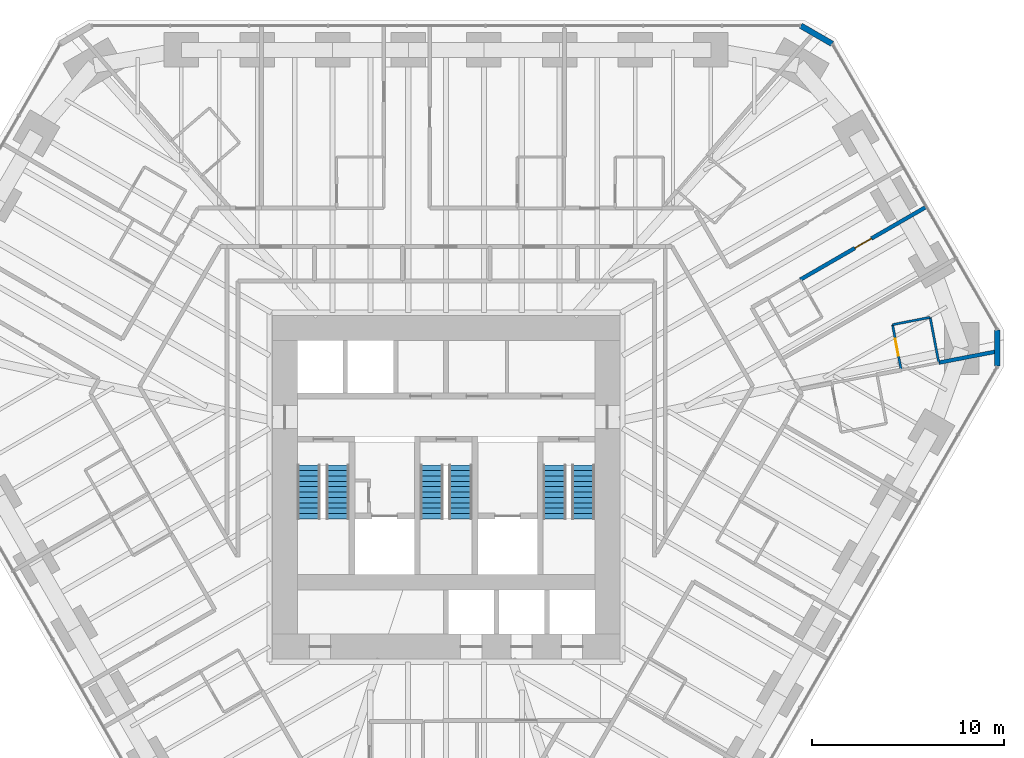
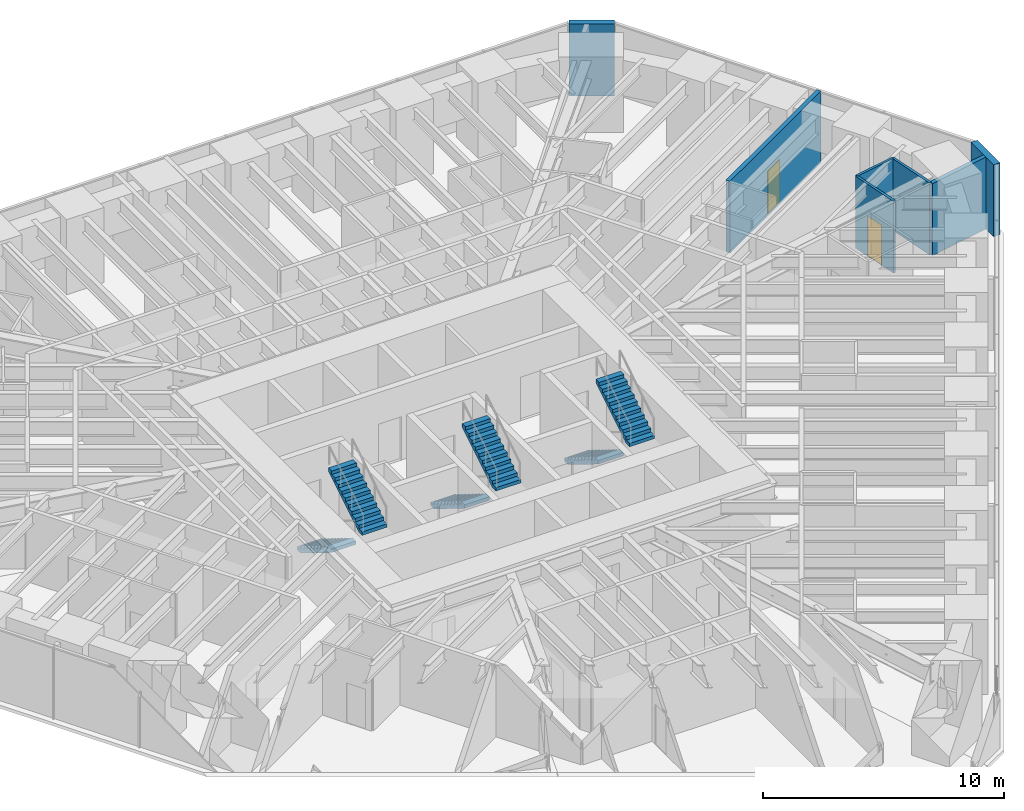
# One storey, part 16 of 17: 7 walls, 6 stair flights, 2 doors, 2 openings, 3 elements without a shape of their own.
"""IFC4 building model written with IfcOpenShell, lengths in metres."""

from ifc_helpers import new_model, si_unit, direction, frame, frame_2d, origin, place, context, subcontext, project, spatial, polyline, rectangle, outline, extrude, material, layer, layer_set, type_object, element, fill, aggregate, save


model = new_model("IFC4")

# Units and contexts
model_context = context("Model", 3, precision=1e-05, world=origin(), true_north=direction((0.0, 1.0)))
body_context = subcontext(model_context, "Body", "Model", "MODEL_VIEW")
ifc_project = project(units=[si_unit("LENGTHUNIT", "METRE"), si_unit("AREAUNIT", "SQUARE_METRE"), si_unit("VOLUMEUNIT", "CUBIC_METRE"), si_unit("PLANEANGLEUNIT", "RADIAN"), si_unit("MASSUNIT", "GRAM", prefix="KILO")], contexts=[model_context])

# Site, building, storey
site_placement = place(None, origin())
site = spatial("IfcSite", under=ifc_project, at=site_placement, CompositionType="ELEMENT")
building_placement = place(site_placement, origin())
building = spatial("IfcBuilding", under=site, at=building_placement, Name="Sandreach Pilgrim Tower", CompositionType="ELEMENT")
storey_placement = place(building_placement, frame((0.0, 0.0, 127.199951171875)))
storey = spatial("IfcBuildingStorey", under=building, at=storey_placement, Name="L31", CompositionType="ELEMENT", Elevation=127.199951171875)

# Wall, opening, door
ifc_material_1 = material(Name="Moisture-resistant gypsum board on steel studs", Category="steel")
ifc_layer_1 = layer(ifc_material_1, 0.1201171875)
ifc_layer_set_1 = layer_set([ifc_layer_1], Name="Bathroom partition 120")
wall_type_1 = type_object("IfcWallType", Name="Bathroom partition 120", PredefinedType="PARTITIONING", material=ifc_layer_set_1)
wall_1_placement = place(storey_placement, frame((23.260009765625, 6.919921875, 0.0), z_axis=(0.0, 0.0, 1.0), x_axis=(0.187294228499, -0.982303859288, 0.0)))
wall_1 = element("IfcWall", 1, at=wall_1_placement, inside=storey, type_object=wall_type_1, Name="Bathroom partition L31-169", PredefinedType="PARTITIONING", context=body_context, shape_type="SweptSolid", body=[
    extrude(rectangle(XDim=2.40234375, YDim=0.1201171875, at=frame_2d((1.201171875, 0.0))), origin(), (0.0, 0.0, 1.0), 3.64013671875),
])
opening_1_placement = place(wall_1_placement, frame((0.75, 0.0, 0.0)))
opening_1 = element("IfcOpeningElement", 2, at=opening_1_placement, cuts=wall_1, Name="Opening D09-07B", PredefinedType="OPENING", context=body_context, shape_type="SweptSolid", body=[
    extrude(rectangle(XDim=0.89990234375, YDim=2.030029296875, at=frame_2d((0.449951171875, 1.01513671875))), frame((0.0, 0.06005859375, 0.0), z_axis=(0.0, -1.0, 0.0), x_axis=(1.0, 0.0, 0.0)), (0.0, 0.0, 1.0), 0.1201171875),
])
ifc_material_2 = material(Name="Timber door, steel frame", Category="steel")
door_type_1 = type_object("IfcDoorType", Name="Bathroom door", OperationType="SINGLE_SWING_LEFT", PredefinedType="DOOR", material=ifc_material_2)
door_1_placement = place(opening_1_placement, origin())
door_1 = element("IfcDoor", 3, at=door_1_placement, inside=storey, type_object=door_type_1, Name="Door 3107B", OperationType="SINGLE_SWING_LEFT", OverallHeight=2.030029296875, OverallWidth=0.89990234375, PredefinedType="DOOR", context=body_context, shape_type="SweptSolid", body=[
    extrude(rectangle(XDim=0.89990234375, YDim=2.030029296875, at=frame_2d((0.449951171875, 1.01513671875))), frame((0.0, 0.02490234375, 0.0), z_axis=(0.0, -1.0, 0.0), x_axis=(1.0, 0.0, 0.0)), (0.0, 0.0, 1.0), 0.050048828125),
])
fill(opening_1, door_1)

# Walls
wall_2_placement = place(storey_placement, frame((25.219970703125, 7.300048828125, 0.0), z_axis=(0.0, 0.0, 1.0), x_axis=(-0.981706922352, -0.190398315658, 0.0)))
element("IfcWall", 4, at=wall_2_placement, inside=storey, type_object=wall_type_1, Name="Bathroom partition L31-173", PredefinedType="PARTITIONING", context=body_context, shape_type="SweptSolid", body=[
    extrude(rectangle(XDim=1.99658203125, YDim=0.1201171875, at=frame_2d((0.998291015625, 0.0))), origin(), (0.0, 0.0, 1.0), 3.64013671875),
])
wall_3_placement = place(storey_placement, frame((25.669921875, 4.93994140625, 0.0), z_axis=(0.0, 0.0, 1.0), x_axis=(-0.187275533444, 0.982307423658, 0.0)))
element("IfcWall", 5, at=wall_3_placement, inside=storey, type_object=wall_type_1, Name="Bathroom partition L31-174", PredefinedType="PARTITIONING", context=body_context, shape_type="SweptSolid", body=[
    extrude(rectangle(XDim=2.402587890625, YDim=0.1201171875, at=frame_2d((1.201171875, 0.0))), origin(), (0.0, 0.0, 1.0), 3.64013671875),
])

# Wall, opening, door
ifc_material_3 = material(Name="Gypsum board on steel studs, two layers each side", Category="steel")
ifc_layer_2 = layer(ifc_material_3, 0.199951171875)
ifc_layer_set_2 = layer_set([ifc_layer_2], Name="Corridor wall 200")
wall_type_2 = type_object("IfcWallType", Name="Corridor wall 200", PredefinedType="PARTITIONING", material=ifc_layer_set_2)
wall_4_placement = place(storey_placement, frame((18.4599609375, 9.27001953125, 0.0), z_axis=(0.0, 0.0, 1.0), x_axis=(0.865880021885, 0.500251724335, 0.0)))
wall_4 = element("IfcWall", 6, at=wall_4_placement, inside=storey, type_object=wall_type_2, Name="Corridor wall L31-162", PredefinedType="PARTITIONING", context=body_context, shape_type="SweptSolid", body=[
    extrude(rectangle(XDim=7.5458984375, YDim=0.199951171875, at=frame_2d((3.77294921875, 0.0))), origin(), (0.0, 0.0, 1.0), 3.64013671875),
])
opening_2_placement = place(wall_4_placement, frame((3.27294921875, 0.0, 0.0)))
opening_2 = element("IfcOpeningElement", 7, at=opening_2_placement, cuts=wall_4, Name="Opening D10-06", PredefinedType="OPENING", context=body_context, shape_type="SweptSolid", body=[
    extrude(rectangle(XDim=1.0, YDim=2.1298828125, at=frame_2d((0.5, 1.06494140625))), frame((0.0, 0.10009765625, 0.0), z_axis=(0.0, -1.0, 0.0), x_axis=(1.0, 0.0, 0.0)), (0.0, 0.0, 1.0), 0.199951171875),
])
ifc_material_4 = material(Name="Steel door and frame", Category="steel")
door_type_2 = type_object("IfcDoorType", Name="Guest room entry door", OperationType="SINGLE_SWING_LEFT", PredefinedType="DOOR", material=ifc_material_4)
door_2_placement = place(opening_2_placement, origin())
door_2 = element("IfcDoor", 8, at=door_2_placement, inside=storey, type_object=door_type_2, Name="Door 3106", OperationType="SINGLE_SWING_LEFT", OverallHeight=2.1298828125, OverallWidth=1.0, PredefinedType="DOOR", context=body_context, shape_type="SweptSolid", body=[
    extrude(rectangle(XDim=1.0, YDim=2.1298828125, at=frame_2d((0.5, 1.06494140625))), frame((0.0, 0.02490234375, 0.0), z_axis=(0.0, -1.0, 0.0), x_axis=(1.0, 0.0, 0.0)), (0.0, 0.0, 1.0), 0.050048828125),
])
fill(opening_2, door_2)

# Walls
ifc_material_5 = material(Name="Double steel stud acoustic wall, gypsum board", Category="steel")
ifc_layer_3 = layer(ifc_material_5, 0.199951171875)
ifc_layer_set_3 = layer_set([ifc_layer_3], Name="Party wall 200")
wall_type_3 = type_object("IfcWallType", Name="Party wall 200", PredefinedType="PARTITIONING", material=ifc_layer_set_3)
wall_5_placement = place(storey_placement, frame((25.669921875, 4.93994140625, 0.0), z_axis=(0.0, 0.0, 1.0), x_axis=(0.981783608641, 0.190002488943, 0.0)))
element("IfcWall", 9, at=wall_5_placement, inside=storey, type_object=wall_type_3, Name="Party wall L31-175", PredefinedType="PARTITIONING", context=body_context, shape_type="SweptSolid", body=[
    extrude(rectangle(XDim=3.12744140625, YDim=0.199951171875, at=frame_2d((1.563720703125, 0.0))), origin(), (0.0, 0.0, 1.0), 3.64013671875),
])
ifc_material_6 = material(Name="Terracotta rainscreen on concrete", Category="masonry")
ifc_layer_4 = layer(ifc_material_6, 0.300048828125)
ifc_layer_set_4 = layer_set([ifc_layer_4], Name="Terracotta chamfer pier")
wall_type_4 = type_object("IfcWallType", Name="Terracotta chamfer pier", PredefinedType="SOLIDWALL", material=ifc_layer_set_4)
wall_6_placement = place(storey_placement, frame((18.4814453125, 22.493896484375, 0.0), z_axis=(0.0, 0.0, 1.0), x_axis=(0.865988793993, -0.500063404658, 0.0)))
element("IfcWall", 10, at=wall_6_placement, inside=storey, type_object=wall_type_4, Name="Chamfer pier L31 N", PredefinedType="SOLIDWALL", context=body_context, shape_type="SweptSolid", body=[
    extrude(rectangle(XDim=1.880126953125, YDim=0.300048828125, at=frame_2d((0.93994140625, 0.0))), origin(), (0.0, 0.0, 1.0), 3.64013671875),
])
wall_7_placement = place(storey_placement, frame((28.720947265625, 6.638427734375, 0.0), z_axis=(0.0, 0.0, 1.0), x_axis=(0.0, -1.0, 0.0)))
element("IfcWall", 11, at=wall_7_placement, inside=storey, type_object=wall_type_4, Name="Chamfer pier L31 NE", PredefinedType="SOLIDWALL", context=body_context, shape_type="SweptSolid", body=[
    extrude(rectangle(XDim=1.8798828125, YDim=0.300048828125, at=frame_2d((0.93994140625, 0.0))), origin(), (0.0, 0.0, 1.0), 3.64013671875),
])

# Stair, stair flights
ifc_material_7 = material(Name="Concrete 8000 psi", Category="concrete")
stair_type = type_object("IfcStairType", Name="Core exit stair", PredefinedType="HALF_TURN_STAIR", material=ifc_material_7)
stair_1_placement = place(storey_placement, origin())
stair_1 = element("IfcStair", 12, at=stair_1_placement, inside=storey, type_object=stair_type, Name="Exit stair ST1 L31", PredefinedType="HALF_TURN_STAIR")
ifc_material_8 = material(Name="Concrete 8000 psi", Category="concrete")
stair_flight_type = type_object("IfcStairFlightType", Name="Core stair flight 1200", PredefinedType="STRAIGHT", material=ifc_material_8)
stair_flight_1_placement = place(storey_placement, frame((-7.14990234375, -0.39990234375, 0.0), z_axis=(0.0, 0.0, 1.0), x_axis=(0.0, -1.0, 0.0)))
stair_flight_1 = element("IfcStairFlight", 13, at=stair_flight_1_placement, type_object=stair_flight_type, Name="ST1 flight 1", NumberOfRisers=11, NumberOfTreads=10, PredefinedType="STRAIGHT", RiserHeight=0.172727273, TreadLength=0.28, context=body_context, shape_type="SweptSolid", body=[
    extrude(outline(polyline([(0.0, 0.0), (0.0, 0.172607421875), (0.280029296875, 0.172607421875), (0.280029296875, 0.345458984375), (0.56005859375, 0.345458984375), (0.56005859375, 0.51806640625), (0.840087890625, 0.51806640625), (0.840087890625, 0.69091796875), (1.1201171875, 0.69091796875), (1.1201171875, 0.863525390625), (1.39990234375, 0.863525390625), (1.39990234375, 1.036376953125), (1.679931640625, 1.036376953125), (1.679931640625, 1.208984375), (1.9599609375, 1.208984375), (1.9599609375, 1.3818359375), (2.239990234375, 1.3818359375), (2.239990234375, 1.554443359375), (2.52001953125, 1.554443359375), (2.52001953125, 1.727294921875), (2.800048828125, 1.727294921875), (2.800048828125, 1.89990234375), (2.800048828125, 1.551025390625), (0.285400390625, 0.0), (0.0, 0.0)])), frame((0.0, 0.60009765625, 0.0), z_axis=(0.0, -1.0, 0.0), x_axis=(1.0, 0.0, 0.0)), (0.0, 0.0, 1.0), 1.199951171875),
])
stair_flight_2_placement = place(storey_placement, frame((-5.64990234375, -3.199951171875, 1.900146484375), z_axis=(0.0, 0.0, 1.0), x_axis=(0.0, 1.0, 0.0)))
stair_flight_2 = element("IfcStairFlight", 14, at=stair_flight_2_placement, type_object=stair_flight_type, Name="ST1 flight 2", NumberOfRisers=11, NumberOfTreads=10, PredefinedType="STRAIGHT", RiserHeight=0.172727273, TreadLength=0.28, context=body_context, shape_type="SweptSolid", body=[
    extrude(outline(polyline([(0.0, 0.0), (0.0, 0.172607421875), (0.280029296875, 0.172607421875), (0.280029296875, 0.345458984375), (0.56005859375, 0.345458984375), (0.56005859375, 0.51806640625), (0.840087890625, 0.51806640625), (0.840087890625, 0.69091796875), (1.1201171875, 0.69091796875), (1.1201171875, 0.863525390625), (1.39990234375, 0.863525390625), (1.39990234375, 1.036376953125), (1.679931640625, 1.036376953125), (1.679931640625, 1.208984375), (1.9599609375, 1.208984375), (1.9599609375, 1.3818359375), (2.239990234375, 1.3818359375), (2.239990234375, 1.554443359375), (2.52001953125, 1.554443359375), (2.52001953125, 1.727294921875), (2.800048828125, 1.727294921875), (2.800048828125, 1.89990234375), (2.800048828125, 1.551025390625), (0.285400390625, 0.0), (0.0, 0.0)])), frame((0.0, 0.60009765625, 0.0), z_axis=(0.0, -1.0, 0.0), x_axis=(1.0, 0.0, 0.0)), (0.0, 0.0, 1.0), 1.199951171875),
])
aggregate(stair_1, [stair_flight_1, stair_flight_2])

stair_2_placement = place(storey_placement, origin())
stair_2 = element("IfcStair", 15, at=stair_2_placement, inside=storey, type_object=stair_type, Name="Exit stair ST3 L31", PredefinedType="HALF_TURN_STAIR")
stair_flight_3_placement = place(storey_placement, frame((-0.75, -0.39990234375, 0.0), z_axis=(0.0, 0.0, 1.0), x_axis=(0.0, -1.0, 0.0)))
stair_flight_3 = element("IfcStairFlight", 16, at=stair_flight_3_placement, type_object=stair_flight_type, Name="ST3 flight 1", NumberOfRisers=11, NumberOfTreads=10, PredefinedType="STRAIGHT", RiserHeight=0.172727273, TreadLength=0.28, context=body_context, shape_type="SweptSolid", body=[
    extrude(outline(polyline([(0.0, 0.0), (0.0, 0.172607421875), (0.280029296875, 0.172607421875), (0.280029296875, 0.345458984375), (0.56005859375, 0.345458984375), (0.56005859375, 0.51806640625), (0.840087890625, 0.51806640625), (0.840087890625, 0.69091796875), (1.1201171875, 0.69091796875), (1.1201171875, 0.863525390625), (1.39990234375, 0.863525390625), (1.39990234375, 1.036376953125), (1.679931640625, 1.036376953125), (1.679931640625, 1.208984375), (1.9599609375, 1.208984375), (1.9599609375, 1.3818359375), (2.239990234375, 1.3818359375), (2.239990234375, 1.554443359375), (2.52001953125, 1.554443359375), (2.52001953125, 1.727294921875), (2.800048828125, 1.727294921875), (2.800048828125, 1.89990234375), (2.800048828125, 1.551025390625), (0.285400390625, 0.0), (0.0, 0.0)])), frame((0.0, 0.60009765625, 0.0), z_axis=(0.0, -1.0, 0.0), x_axis=(1.0, 0.0, 0.0)), (0.0, 0.0, 1.0), 1.199951171875),
])
stair_flight_4_placement = place(storey_placement, frame((0.75, -3.199951171875, 1.900146484375), z_axis=(0.0, 0.0, 1.0), x_axis=(0.0, 1.0, 0.0)))
stair_flight_4 = element("IfcStairFlight", 17, at=stair_flight_4_placement, type_object=stair_flight_type, Name="ST3 flight 2", NumberOfRisers=11, NumberOfTreads=10, PredefinedType="STRAIGHT", RiserHeight=0.172727273, TreadLength=0.28, context=body_context, shape_type="SweptSolid", body=[
    extrude(outline(polyline([(0.0, 0.0), (0.0, 0.172607421875), (0.280029296875, 0.172607421875), (0.280029296875, 0.345458984375), (0.56005859375, 0.345458984375), (0.56005859375, 0.51806640625), (0.840087890625, 0.51806640625), (0.840087890625, 0.69091796875), (1.1201171875, 0.69091796875), (1.1201171875, 0.863525390625), (1.39990234375, 0.863525390625), (1.39990234375, 1.036376953125), (1.679931640625, 1.036376953125), (1.679931640625, 1.208984375), (1.9599609375, 1.208984375), (1.9599609375, 1.3818359375), (2.239990234375, 1.3818359375), (2.239990234375, 1.554443359375), (2.52001953125, 1.554443359375), (2.52001953125, 1.727294921875), (2.800048828125, 1.727294921875), (2.800048828125, 1.89990234375), (2.800048828125, 1.551025390625), (0.285400390625, 0.0), (0.0, 0.0)])), frame((0.0, 0.60009765625, 0.0), z_axis=(0.0, -1.0, 0.0), x_axis=(1.0, 0.0, 0.0)), (0.0, 0.0, 1.0), 1.199951171875),
])
aggregate(stair_2, [stair_flight_3, stair_flight_4])

stair_3_placement = place(storey_placement, origin())
stair_3 = element("IfcStair", 18, at=stair_3_placement, inside=storey, type_object=stair_type, Name="Exit stair ST2 L31", PredefinedType="HALF_TURN_STAIR")
stair_flight_5_placement = place(storey_placement, frame((5.64990234375, -0.39990234375, 0.0), z_axis=(0.0, 0.0, 1.0), x_axis=(0.0, -1.0, 0.0)))
stair_flight_5 = element("IfcStairFlight", 19, at=stair_flight_5_placement, type_object=stair_flight_type, Name="ST2 flight 1", NumberOfRisers=11, NumberOfTreads=10, PredefinedType="STRAIGHT", RiserHeight=0.172727273, TreadLength=0.28, context=body_context, shape_type="SweptSolid", body=[
    extrude(outline(polyline([(0.0, 0.0), (0.0, 0.172607421875), (0.280029296875, 0.172607421875), (0.280029296875, 0.345458984375), (0.56005859375, 0.345458984375), (0.56005859375, 0.51806640625), (0.840087890625, 0.51806640625), (0.840087890625, 0.69091796875), (1.1201171875, 0.69091796875), (1.1201171875, 0.863525390625), (1.39990234375, 0.863525390625), (1.39990234375, 1.036376953125), (1.679931640625, 1.036376953125), (1.679931640625, 1.208984375), (1.9599609375, 1.208984375), (1.9599609375, 1.3818359375), (2.239990234375, 1.3818359375), (2.239990234375, 1.554443359375), (2.52001953125, 1.554443359375), (2.52001953125, 1.727294921875), (2.800048828125, 1.727294921875), (2.800048828125, 1.89990234375), (2.800048828125, 1.551025390625), (0.285400390625, 0.0), (0.0, 0.0)])), frame((0.0, 0.60009765625, 0.0), z_axis=(0.0, -1.0, 0.0), x_axis=(1.0, 0.0, 0.0)), (0.0, 0.0, 1.0), 1.199951171875),
])
stair_flight_6_placement = place(storey_placement, frame((7.14990234375, -3.199951171875, 1.900146484375), z_axis=(0.0, 0.0, 1.0), x_axis=(0.0, 1.0, 0.0)))
stair_flight_6 = element("IfcStairFlight", 20, at=stair_flight_6_placement, type_object=stair_flight_type, Name="ST2 flight 2", NumberOfRisers=11, NumberOfTreads=10, PredefinedType="STRAIGHT", RiserHeight=0.172727273, TreadLength=0.28, context=body_context, shape_type="SweptSolid", body=[
    extrude(outline(polyline([(0.0, 0.0), (0.0, 0.172607421875), (0.280029296875, 0.172607421875), (0.280029296875, 0.345458984375), (0.56005859375, 0.345458984375), (0.56005859375, 0.51806640625), (0.840087890625, 0.51806640625), (0.840087890625, 0.69091796875), (1.1201171875, 0.69091796875), (1.1201171875, 0.863525390625), (1.39990234375, 0.863525390625), (1.39990234375, 1.036376953125), (1.679931640625, 1.036376953125), (1.679931640625, 1.208984375), (1.9599609375, 1.208984375), (1.9599609375, 1.3818359375), (2.239990234375, 1.3818359375), (2.239990234375, 1.554443359375), (2.52001953125, 1.554443359375), (2.52001953125, 1.727294921875), (2.800048828125, 1.727294921875), (2.800048828125, 1.89990234375), (2.800048828125, 1.551025390625), (0.285400390625, 0.0), (0.0, 0.0)])), frame((0.0, 0.60009765625, 0.0), z_axis=(0.0, -1.0, 0.0), x_axis=(1.0, 0.0, 0.0)), (0.0, 0.0, 1.0), 1.199951171875),
])
aggregate(stair_3, [stair_flight_5, stair_flight_6])

save(model, "model.ifc")
